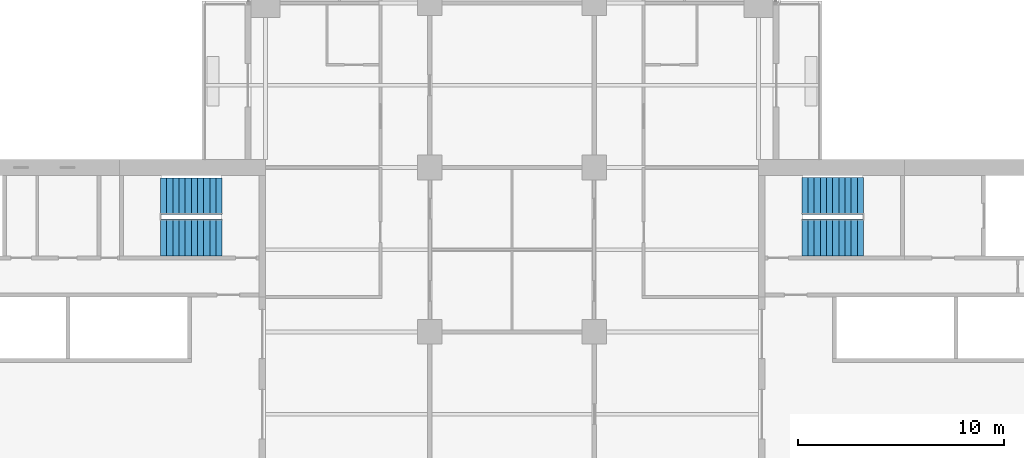
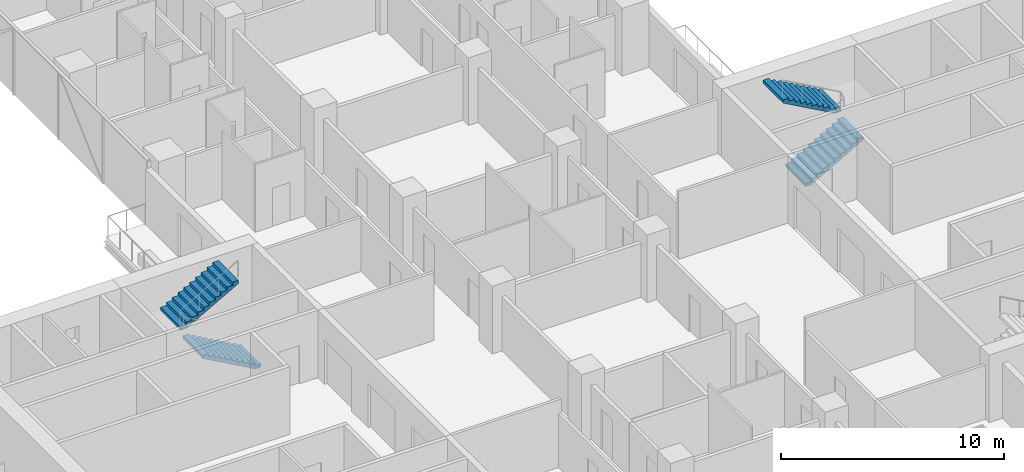
# One storey, part 24 of 29: 4 stair flights, 2 elements without a shape of their own.
"""IFC4 building model written with IfcOpenShell, lengths in metres."""

from ifc_helpers import new_model, si_unit, direction, frame, origin, place, context, subcontext, project, spatial, polyline, outline, extrude, material, type_object, element, aggregate, save


model = new_model("IFC4")

# Units and contexts
model_context = context("Model", 3, precision=1e-05, world=origin(), true_north=direction((0.0, 1.0)))
body_context = subcontext(model_context, "Body", "Model", "MODEL_VIEW")
ifc_project = project(units=[si_unit("LENGTHUNIT", "METRE"), si_unit("AREAUNIT", "SQUARE_METRE"), si_unit("VOLUMEUNIT", "CUBIC_METRE"), si_unit("PLANEANGLEUNIT", "RADIAN"), si_unit("MASSUNIT", "GRAM", prefix="KILO")], contexts=[model_context])

# Site, building, storey
site_placement = place(None, origin())
site = spatial("IfcSite", under=ifc_project, at=site_placement, CompositionType="ELEMENT")
building_placement = place(site_placement, origin())
building = spatial("IfcBuilding", under=site, at=building_placement, Name="Crosswind Convention Tower", CompositionType="ELEMENT")
storey_placement = place(building_placement, frame((0.0, 0.0, 53.5)))
storey = spatial("IfcBuildingStorey", under=building, at=storey_placement, Name="L07", CompositionType="ELEMENT", Elevation=53.5)

# Stair, stair flights
ifc_material = material(Name="Concrete C40/50", Category="concrete")
stair_type = type_object("IfcStairType", Name="Exit stair 1800 wide, 2 flights of 11 risers", PredefinedType="HALF_TURN_STAIR", material=ifc_material)
stair_1_placement = place(storey_placement, origin())
stair_1 = element("IfcStair", 1, at=stair_1_placement, inside=storey, type_object=stair_type, Name="Exit stair ST1 L07", ObjectType="ST5", PredefinedType="HALF_TURN_STAIR")
stair_flight_type = type_object("IfcStairFlightType", Name="Stair flight 1800 wide, 11 risers (SF3)", PredefinedType="STRAIGHT", material=ifc_material)
stair_flight_1_placement = place(storey_placement, frame((139.10009765625, 108.60009765625, 0.0), z_axis=(0.0, 0.0, 1.0), x_axis=(1.0, 0.0, 0.0)))
stair_flight_1 = element("IfcStairFlight", 2, at=stair_flight_1_placement, type_object=stair_flight_type, Name="ST1 flight 1", NumberOfRisers=11, NumberOfTreads=10, PredefinedType="STRAIGHT", RiserHeight=0.168181818, TreadLength=0.3, context=body_context, shape_type="SweptSolid", body=[
    extrude(outline(polyline([(0.0, 0.0), (0.0, 0.168212890625), (0.300048828125, 0.168212890625), (0.300048828125, 0.33642578125), (0.60009765625, 0.33642578125), (0.60009765625, 0.504638671875), (0.89990234375, 0.504638671875), (0.89990234375, 0.672607421875), (1.199951171875, 0.672607421875), (1.199951171875, 0.8408203125), (1.5, 0.8408203125), (1.5, 1.009033203125), (1.800048828125, 1.009033203125), (1.800048828125, 1.17724609375), (2.10009765625, 1.17724609375), (2.10009765625, 1.345458984375), (2.39990234375, 1.345458984375), (2.39990234375, 1.513671875), (2.699951171875, 1.513671875), (2.699951171875, 1.681884765625), (3.0, 1.681884765625), (3.0, 1.85009765625), (3.0, 1.510009765625), (0.306640625, 0.0), (0.0, 0.0)])), frame((0.0, 0.89990234375, 0.0), z_axis=(0.0, -1.0, 0.0), x_axis=(1.0, 0.0, 0.0)), (0.0, 0.0, 1.0), 1.800048828125),
])
stair_flight_2_placement = place(storey_placement, frame((142.10009765625, 110.60009765625, 1.85009765625), z_axis=(0.0, 0.0, 1.0), x_axis=(-1.0, 0.0, 0.0)))
stair_flight_2 = element("IfcStairFlight", 3, at=stair_flight_2_placement, type_object=stair_flight_type, Name="ST1 flight 2", NumberOfRisers=11, NumberOfTreads=10, PredefinedType="STRAIGHT", RiserHeight=0.168181818, TreadLength=0.3, context=body_context, shape_type="SweptSolid", body=[
    extrude(outline(polyline([(0.0, 0.0), (0.0, 0.168212890625), (0.300048828125, 0.168212890625), (0.300048828125, 0.33642578125), (0.60009765625, 0.33642578125), (0.60009765625, 0.504638671875), (0.89990234375, 0.504638671875), (0.89990234375, 0.672607421875), (1.199951171875, 0.672607421875), (1.199951171875, 0.8408203125), (1.5, 0.8408203125), (1.5, 1.009033203125), (1.800048828125, 1.009033203125), (1.800048828125, 1.17724609375), (2.10009765625, 1.17724609375), (2.10009765625, 1.345458984375), (2.39990234375, 1.345458984375), (2.39990234375, 1.513671875), (2.699951171875, 1.513671875), (2.699951171875, 1.681884765625), (3.0, 1.681884765625), (3.0, 1.85009765625), (3.0, 1.510009765625), (0.306640625, 0.0), (0.0, 0.0)])), frame((0.0, 0.89990234375, 0.0), z_axis=(0.0, -1.0, 0.0), x_axis=(1.0, 0.0, 0.0)), (0.0, 0.0, 1.0), 1.800048828125),
])
aggregate(stair_1, [stair_flight_1, stair_flight_2])

stair_2_placement = place(storey_placement, origin())
stair_2 = element("IfcStair", 4, at=stair_2_placement, inside=storey, type_object=stair_type, Name="Exit stair ST4 L07", ObjectType="ST5", PredefinedType="HALF_TURN_STAIR")
stair_flight_3_placement = place(storey_placement, frame((110.89990234375, 108.60009765625, 0.0), z_axis=(0.0, 0.0, 1.0), x_axis=(-1.0, 0.0, 0.0)))
stair_flight_3 = element("IfcStairFlight", 5, at=stair_flight_3_placement, type_object=stair_flight_type, Name="ST4 flight 1", NumberOfRisers=11, NumberOfTreads=10, PredefinedType="STRAIGHT", RiserHeight=0.168181818, TreadLength=0.3, context=body_context, shape_type="SweptSolid", body=[
    extrude(outline(polyline([(0.0, 0.0), (0.0, 0.168212890625), (0.300048828125, 0.168212890625), (0.300048828125, 0.33642578125), (0.60009765625, 0.33642578125), (0.60009765625, 0.504638671875), (0.89990234375, 0.504638671875), (0.89990234375, 0.672607421875), (1.199951171875, 0.672607421875), (1.199951171875, 0.8408203125), (1.5, 0.8408203125), (1.5, 1.009033203125), (1.800048828125, 1.009033203125), (1.800048828125, 1.17724609375), (2.10009765625, 1.17724609375), (2.10009765625, 1.345458984375), (2.39990234375, 1.345458984375), (2.39990234375, 1.513671875), (2.699951171875, 1.513671875), (2.699951171875, 1.681884765625), (3.0, 1.681884765625), (3.0, 1.85009765625), (3.0, 1.510009765625), (0.306640625, 0.0), (0.0, 0.0)])), frame((0.0, 0.89990234375, 0.0), z_axis=(0.0, -1.0, 0.0), x_axis=(1.0, 0.0, 0.0)), (0.0, 0.0, 1.0), 1.800048828125),
])
stair_flight_4_placement = place(storey_placement, frame((107.89990234375, 110.60009765625, 1.85009765625), z_axis=(0.0, 0.0, 1.0), x_axis=(1.0, 0.0, 0.0)))
stair_flight_4 = element("IfcStairFlight", 6, at=stair_flight_4_placement, type_object=stair_flight_type, Name="ST4 flight 2", NumberOfRisers=11, NumberOfTreads=10, PredefinedType="STRAIGHT", RiserHeight=0.168181818, TreadLength=0.3, context=body_context, shape_type="SweptSolid", body=[
    extrude(outline(polyline([(0.0, 0.0), (0.0, 0.168212890625), (0.300048828125, 0.168212890625), (0.300048828125, 0.33642578125), (0.60009765625, 0.33642578125), (0.60009765625, 0.504638671875), (0.89990234375, 0.504638671875), (0.89990234375, 0.672607421875), (1.199951171875, 0.672607421875), (1.199951171875, 0.8408203125), (1.5, 0.8408203125), (1.5, 1.009033203125), (1.800048828125, 1.009033203125), (1.800048828125, 1.17724609375), (2.10009765625, 1.17724609375), (2.10009765625, 1.345458984375), (2.39990234375, 1.345458984375), (2.39990234375, 1.513671875), (2.699951171875, 1.513671875), (2.699951171875, 1.681884765625), (3.0, 1.681884765625), (3.0, 1.85009765625), (3.0, 1.510009765625), (0.306640625, 0.0), (0.0, 0.0)])), frame((0.0, 0.89990234375, 0.0), z_axis=(0.0, -1.0, 0.0), x_axis=(1.0, 0.0, 0.0)), (0.0, 0.0, 1.0), 1.800048828125),
])
aggregate(stair_2, [stair_flight_3, stair_flight_4])

save(model, "model.ifc")
